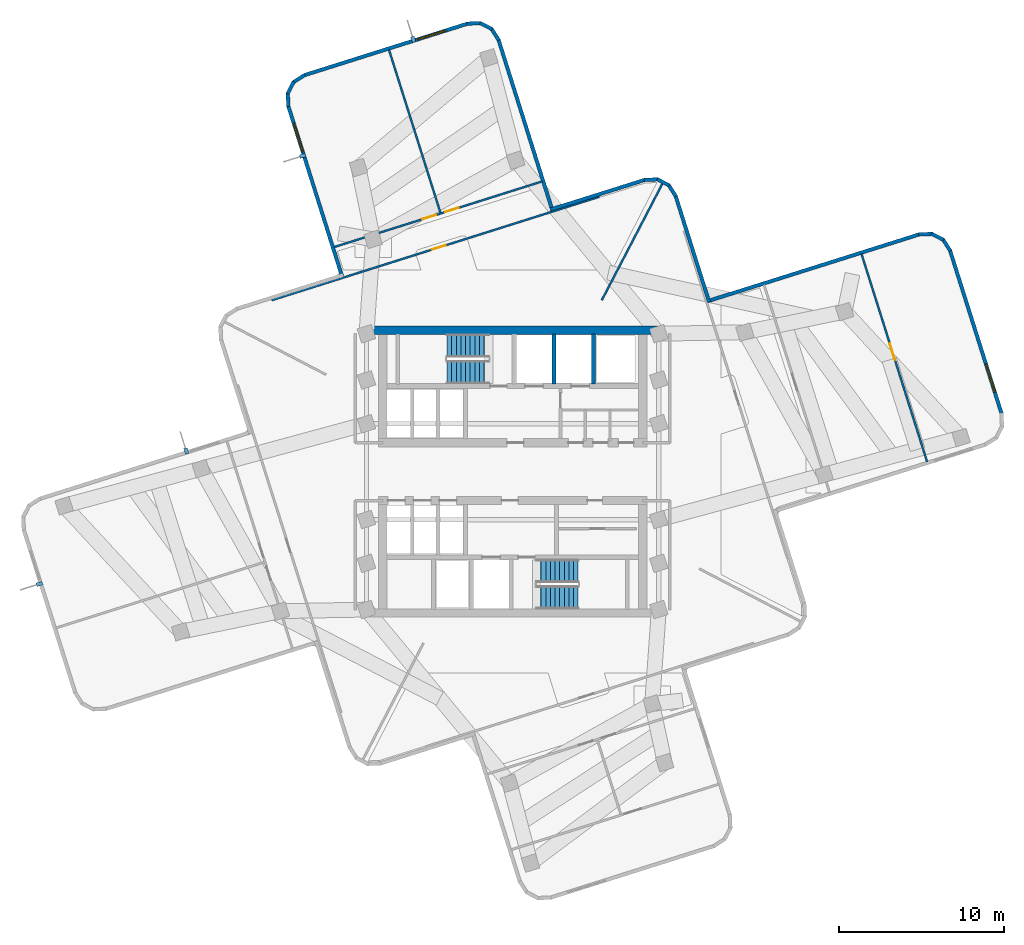
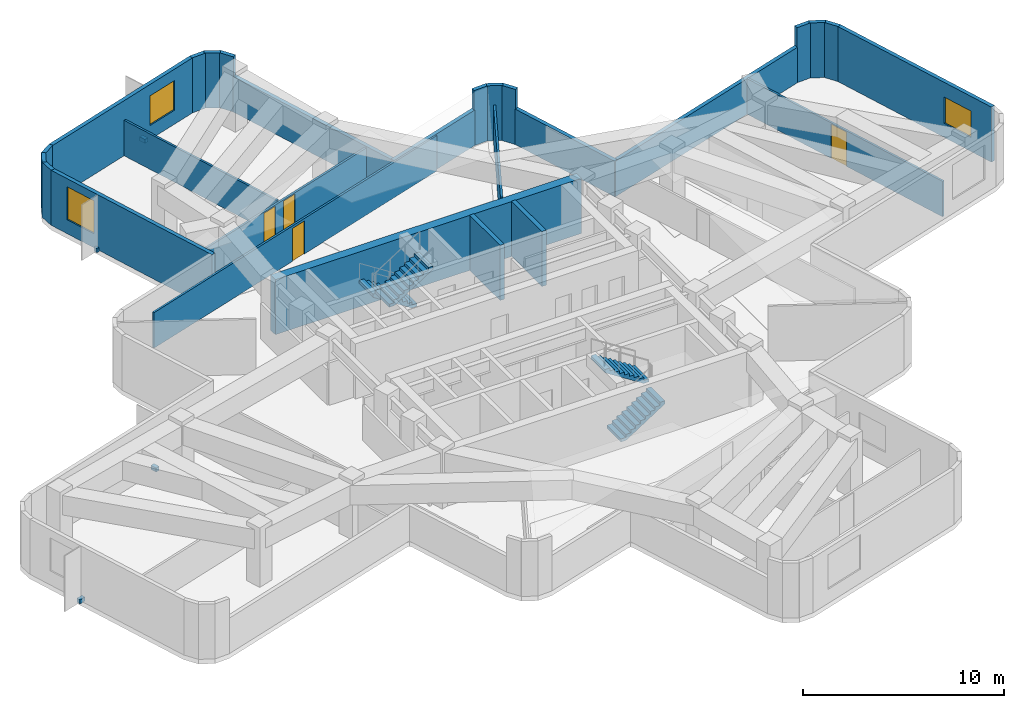
# One storey, part 5 of 8: 27 walls, 4 discrete accessories, 4 doors, 4 stair flights, 3 windows, 7 openings, 2 elements without a shape of their own.
"""IFC4 building model written with IfcOpenShell, lengths in metres."""

from ifc_helpers import new_model, si_unit, direction, frame, frame_2d, origin, origin_2d, place, context, subcontext, project, spatial, polyline, rectangle, outline, extrude, material, layer, layer_set, type_object, element, fill, aggregate, save


model = new_model("IFC4")

# Units and contexts
model_context = context("Model", 3, precision=1e-05, world=origin(), true_north=direction((0.0, 1.0)))
body_context = subcontext(model_context, "Body", "Model", "MODEL_VIEW")
ifc_project = project(units=[si_unit("LENGTHUNIT", "METRE"), si_unit("AREAUNIT", "SQUARE_METRE"), si_unit("VOLUMEUNIT", "CUBIC_METRE"), si_unit("PLANEANGLEUNIT", "RADIAN"), si_unit("MASSUNIT", "GRAM", prefix="KILO")], contexts=[model_context])

# Site, building, storey
site_placement = place(None, origin())
site = spatial("IfcSite", under=ifc_project, at=site_placement, CompositionType="ELEMENT")
building_placement = place(site_placement, origin())
building = spatial("IfcBuilding", under=site, at=building_placement, Name="Solmarez Civic Tower", CompositionType="ELEMENT")
storey_placement = place(building_placement, frame((0.0, 0.0, 152.280029296875)))
storey = spatial("IfcBuildingStorey", under=building, at=storey_placement, Name="L40", CompositionType="ELEMENT", Elevation=152.280029296875)

# Wall
ifc_material_1 = material(Name="Concrete C60/75", Category="concrete")
ifc_layer_1 = layer(ifc_material_1, 0.5)
ifc_layer_set_1 = layer_set([ifc_layer_1], Name="Concrete C60/75")
wall_type_1 = type_object("IfcWallType", Name="WALL-CORE-500", PredefinedType="SHEAR", material=ifc_layer_set_1)
wall_1_placement = place(storey_placement, frame((-8.780029296875, 8.56005859375, 0.0), z_axis=(0.0, 0.0, 1.0), x_axis=(1.0, 0.0, 0.0)))
element("IfcWall", 1, at=wall_1_placement, inside=storey, type_object=wall_type_1, Name="L40 Split-Core Structural Wall NCW-N-L40", PredefinedType="SHEAR", context=body_context, shape_type="SweptSolid", body=[
    extrude(rectangle(XDim=17.56005859375, YDim=0.5, at=frame_2d((8.780029296875, 0.0))), origin(), (0.0, 0.0, 1.0), 3.340087890625),
])

# Wall, opening, window
ifc_material_2 = material(Name="Precast concrete C40/50", Category="concrete")
ifc_layer_2 = layer(ifc_material_2, 0.219970703125)
ifc_layer_set_2 = layer_set([ifc_layer_2], Name="Precast concrete C40/50")
wall_type_2 = type_object("IfcWallType", Name="WALL-EXT-220", PredefinedType="SOLIDWALL", material=ifc_layer_set_2)
wall_2_placement = place(storey_placement, frame((-10.319091796875, 11.7919921875, 0.0), z_axis=(0.0, 0.0, 1.0), x_axis=(-0.301005479956, 0.953622410096, 0.0)))
wall_2 = element("IfcWall", 2, at=wall_2_placement, inside=storey, type_object=wall_type_2, Name="L40 Exterior Precast Wall 20", PredefinedType="SOLIDWALL", context=body_context, shape_type="SweptSolid", body=[
    extrude(rectangle(XDim=10.859619140625, YDim=0.219970703125, at=frame_2d((5.4296875, 0.0))), origin(), (0.0, 0.0, 1.0), 3.340087890625),
])
opening_1_placement = place(wall_2_placement, frame((7.9599609375, 0.0, 0.85009765625)))
opening_1 = element("IfcOpeningElement", 3, at=opening_1_placement, cuts=wall_2, Name="Opening W-04", PredefinedType="OPENING", context=body_context, shape_type="SweptSolid", body=[
    extrude(rectangle(XDim=1.800048828125, YDim=2.0, at=frame_2d((0.89990234375, 1.0))), frame((0.0, 0.119873046875, 0.0), z_axis=(0.0, -1.0, 0.0), x_axis=(1.0, 0.0, 0.0)), (0.0, 0.0, 1.0), 0.239990234375),
])
ifc_material_3 = material(Name="Solar Control Bronze-Tinted Insulating Glass", Category="glass")
window_type_1 = type_object("IfcWindowType", Name="WIN-1800X2000", PartitioningType="SINGLE_PANEL", PredefinedType="WINDOW", material=ifc_material_3)
window_1_placement = place(opening_1_placement, origin())
window_1 = element("IfcWindow", 4, at=window_1_placement, inside=storey, type_object=window_type_1, Name="L40 Exterior Facade Window 20", OverallHeight=2.0, OverallWidth=1.800048828125, PartitioningType="SINGLE_PANEL", PredefinedType="WINDOW", context=body_context, shape_type="SweptSolid", body=[
    extrude(rectangle(XDim=1.800048828125, YDim=2.0, at=frame_2d((0.89990234375, 1.0))), frame((0.0, 0.030029296875, 0.0), z_axis=(0.0, -1.0, 0.0), x_axis=(1.0, 0.0, 0.0)), (0.0, 0.0, 1.0), 0.06005859375),
])
fill(opening_1, window_1)

# Walls
wall_3_placement = place(storey_placement, frame((-13.5791015625, 22.09912109375, 0.0), z_axis=(0.0, 0.0, 1.0), x_axis=(-0.044225229981, 0.999021585869, 0.0)))
element("IfcWall", 5, at=wall_3_placement, inside=storey, type_object=wall_type_2, Name="L40 Exterior Precast Wall 21", PredefinedType="SOLIDWALL", context=body_context, shape_type="SweptSolid", body=[
    extrude(rectangle(XDim=0.83349609375, YDim=0.219970703125, at=frame_2d((0.416748046875, 0.0))), origin(), (0.0, 0.0, 1.0), 3.340087890625),
])
wall_4_placement = place(storey_placement, frame((-13.626953125, 22.885009765625, 0.0), z_axis=(0.0, 0.0, 1.0), x_axis=(0.462158884885, 0.886797138652, 0.0)))
element("IfcWall", 6, at=wall_4_placement, inside=storey, type_object=wall_type_2, Name="L40 Exterior Precast Wall 22", PredefinedType="SOLIDWALL", context=body_context, shape_type="SweptSolid", body=[
    extrude(rectangle(XDim=0.81982421875, YDim=0.219970703125, at=frame_2d((0.409912109375, 0.0))), origin(), (0.0, 0.0, 1.0), 3.340087890625),
])
wall_5_placement = place(storey_placement, frame((-13.281005859375, 23.576904296875, 0.0), z_axis=(0.0, 0.0, 1.0), x_axis=(0.844227532803, 0.535984955812, 0.0)))
element("IfcWall", 7, at=wall_5_placement, inside=storey, type_object=wall_type_2, Name="L40 Exterior Precast Wall 23", PredefinedType="SOLIDWALL", context=body_context, shape_type="SweptSolid", body=[
    extrude(rectangle(XDim=0.833984375, YDim=0.219970703125, at=frame_2d((0.4169921875, 0.0))), origin(), (0.0, 0.0, 1.0), 3.340087890625),
])

# Wall, opening, window
wall_6_placement = place(storey_placement, frame((-12.6220703125, 24.0029296875, 0.0), z_axis=(0.0, 0.0, 1.0), x_axis=(0.953584440501, 0.301125745883, 0.0)))
wall_6 = element("IfcWall", 8, at=wall_6_placement, inside=storey, type_object=wall_type_2, Name="L40 Exterior Precast Wall 24", PredefinedType="SOLIDWALL", context=body_context, shape_type="SweptSolid", body=[
    extrude(rectangle(XDim=10.3916015625, YDim=0.219970703125, at=frame_2d((5.19580078125, 0.0))), origin(), (0.0, 0.0, 1.0), 3.340087890625),
])
opening_2_placement = place(wall_6_placement, frame((7.205078125, 0.0, 0.85009765625)))
opening_2 = element("IfcOpeningElement", 9, at=opening_2_placement, cuts=wall_6, Name="Opening W-08", PredefinedType="OPENING", context=body_context, shape_type="SweptSolid", body=[
    extrude(rectangle(XDim=1.800048828125, YDim=1.800048828125, at=frame_2d((0.89990234375, 0.89990234375))), frame((0.0, 0.119873046875, 0.0), z_axis=(0.0, -1.0, 0.0), x_axis=(1.0, 0.0, 0.0)), (0.0, 0.0, 1.0), 0.239990234375),
])
window_type_2 = type_object("IfcWindowType", Name="WIN-1800X1800", PartitioningType="SINGLE_PANEL", PredefinedType="WINDOW", material=ifc_material_3)
window_2_placement = place(opening_2_placement, origin())
window_2 = element("IfcWindow", 10, at=window_2_placement, inside=storey, type_object=window_type_2, Name="L40 Exterior Facade Window 24", OverallHeight=1.800048828125, OverallWidth=1.800048828125, PartitioningType="SINGLE_PANEL", PredefinedType="WINDOW", context=body_context, shape_type="SweptSolid", body=[
    extrude(rectangle(XDim=1.800048828125, YDim=1.800048828125, at=frame_2d((0.89990234375, 0.89990234375))), frame((0.0, 0.030029296875, 0.0), z_axis=(0.0, -1.0, 0.0), x_axis=(1.0, 0.0, 0.0)), (0.0, 0.0, 1.0), 0.06005859375),
])
fill(opening_2, window_2)

# Walls
wall_7_placement = place(storey_placement, frame((-2.761962890625, 27.123046875, 0.0), z_axis=(0.0, 0.0, 1.0), x_axis=(0.999024443796, 0.044160623833, 0.0)))
element("IfcWall", 11, at=wall_7_placement, inside=storey, type_object=wall_type_2, Name="L40 Exterior Precast Wall 25", PredefinedType="SOLIDWALL", context=body_context, shape_type="SweptSolid", body=[
    extrude(rectangle(XDim=0.834716796875, YDim=0.219970703125, at=frame_2d((0.41748046875, 0.0))), origin(), (0.0, 0.0, 1.0), 3.340087890625),
])
wall_8_placement = place(storey_placement, frame((-1.97509765625, 27.1708984375, 0.0), z_axis=(0.0, 0.0, 1.0), x_axis=(0.886542320322, -0.462647505427, 0.0)))
element("IfcWall", 12, at=wall_8_placement, inside=storey, type_object=wall_type_2, Name="L40 Exterior Precast Wall 26", PredefinedType="SOLIDWALL", context=body_context, shape_type="SweptSolid", body=[
    extrude(rectangle(XDim=0.819091796875, YDim=0.219970703125, at=frame_2d((0.40966796875, 0.0))), origin(), (0.0, 0.0, 1.0), 3.340087890625),
])
wall_9_placement = place(storey_placement, frame((-1.283935546875, 26.824951171875, 0.0), z_axis=(0.0, 0.0, 1.0), x_axis=(0.537481840432, -0.843275323489, 0.0)))
element("IfcWall", 13, at=wall_9_placement, inside=storey, type_object=wall_type_2, Name="L40 Exterior Precast Wall 27", PredefinedType="SOLIDWALL", context=body_context, shape_type="SweptSolid", body=[
    extrude(rectangle(XDim=0.83349609375, YDim=0.219970703125, at=frame_2d((0.416748046875, 0.0))), origin(), (0.0, 0.0, 1.0), 3.340087890625),
])
wall_10_placement = place(storey_placement, frame((-0.85693359375, 26.1669921875, 0.0), z_axis=(0.0, 0.0, 1.0), x_axis=(0.300949507539, -0.953640075664, 0.0)))
element("IfcWall", 14, at=wall_10_placement, inside=storey, type_object=wall_type_2, Name="L40 Exterior Precast Wall 28", PredefinedType="SOLIDWALL", context=body_context, shape_type="SweptSolid", body=[
    extrude(rectangle(XDim=10.8583984375, YDim=0.219970703125, at=frame_2d((5.42919921875, 0.0))), origin(), (0.0, 0.0, 1.0), 2.15185546875),
])
wall_11_placement = place(storey_placement, frame((2.301025390625, 15.8701171875, 0.0), z_axis=(0.0, 0.0, 1.0), x_axis=(0.953652264112, 0.300910882413, 0.0)))
element("IfcWall", 15, at=wall_11_placement, inside=storey, type_object=wall_type_2, Name="L40 Exterior Precast Wall 31", PredefinedType="SOLIDWALL", context=body_context, shape_type="SweptSolid", body=[
    extrude(rectangle(XDim=5.988525390625, YDim=0.219970703125, at=frame_2d((2.994140625, 0.0))), origin(), (0.0, 0.0, 1.0), 2.15185546875),
])
wall_12_placement = place(storey_placement, frame((7.962890625, 17.6630859375, 0.0), z_axis=(0.0, 0.0, 1.0), x_axis=(0.99902501388, 0.044147725226, 0.0)))
element("IfcWall", 16, at=wall_12_placement, inside=storey, type_object=wall_type_2, Name="L40 Exterior Precast Wall 32", PredefinedType="SOLIDWALL", context=body_context, shape_type="SweptSolid", body=[
    extrude(rectangle(XDim=0.8349609375, YDim=0.219970703125, at=frame_2d((0.41748046875, 0.0))), origin(), (0.0, 0.0, 1.0), 3.340087890625),
])
wall_13_placement = place(storey_placement, frame((8.75, 17.7109375, 0.0), z_axis=(0.0, 0.0, 1.0), x_axis=(0.886542320322, -0.462647505427, 0.0)))
element("IfcWall", 17, at=wall_13_placement, inside=storey, type_object=wall_type_2, Name="L40 Exterior Precast Wall 33", PredefinedType="SOLIDWALL", context=body_context, shape_type="SweptSolid", body=[
    extrude(rectangle(XDim=0.819091796875, YDim=0.219970703125, at=frame_2d((0.40966796875, 0.0))), origin(), (0.0, 0.0, 1.0), 3.340087890625),
])
wall_14_placement = place(storey_placement, frame((9.44091796875, 17.364990234375, 0.0), z_axis=(0.0, 0.0, 1.0), x_axis=(0.536818702975, -0.84369762364, 0.0)))
element("IfcWall", 18, at=wall_14_placement, inside=storey, type_object=wall_type_2, Name="L40 Exterior Precast Wall 34", PredefinedType="SOLIDWALL", context=body_context, shape_type="SweptSolid", body=[
    extrude(rectangle(XDim=0.83447265625, YDim=0.219970703125, at=frame_2d((0.417236328125, 0.0))), origin(), (0.0, 0.0, 1.0), 3.340087890625),
])
wall_15_placement = place(storey_placement, frame((9.867919921875, 16.7060546875, 0.0), z_axis=(0.0, 0.0, 1.0), x_axis=(0.300982683852, -0.953629605256, 0.0)))
element("IfcWall", 19, at=wall_15_placement, inside=storey, type_object=wall_type_2, Name="L40 Exterior Precast Wall 35", PredefinedType="SOLIDWALL", context=body_context, shape_type="SweptSolid", body=[
    extrude(rectangle(XDim=6.758544921875, YDim=0.219970703125, at=frame_2d((3.37939453125, 0.0))), origin(), (0.0, 0.0, 1.0), 2.15185546875),
])
wall_16_placement = place(storey_placement, frame((11.7919921875, 10.319091796875, 0.0), z_axis=(0.0, 0.0, 1.0), x_axis=(0.953607060649, 0.301054104573, 0.0)))
element("IfcWall", 20, at=wall_16_placement, inside=storey, type_object=wall_type_2, Name="L40 Exterior Precast Wall 38", PredefinedType="SOLIDWALL", context=body_context, shape_type="SweptSolid", body=[
    extrude(rectangle(XDim=13.45947265625, YDim=0.219970703125, at=frame_2d((6.729736328125, 0.0))), origin(), (0.0, 0.0, 1.0), 2.15185546875),
])
wall_17_placement = place(storey_placement, frame((24.577880859375, 14.362060546875, 0.0), z_axis=(0.0, 0.0, 1.0), x_axis=(0.999075913973, 0.042980438793, 0.0)))
element("IfcWall", 21, at=wall_17_placement, inside=storey, type_object=wall_type_2, Name="L40 Exterior Precast Wall 39", PredefinedType="SOLIDWALL", context=body_context, shape_type="SweptSolid", body=[
    extrude(rectangle(XDim=0.8349609375, YDim=0.219970703125, at=frame_2d((0.41748046875, 0.0))), origin(), (0.0, 0.0, 1.0), 3.340087890625),
])
wall_18_placement = place(storey_placement, frame((25.364990234375, 14.408935546875, 0.0), z_axis=(0.0, 0.0, 1.0), x_axis=(0.886542320322, -0.462647505427, 0.0)))
element("IfcWall", 22, at=wall_18_placement, inside=storey, type_object=wall_type_2, Name="L40 Exterior Precast Wall 40", PredefinedType="SOLIDWALL", context=body_context, shape_type="SweptSolid", body=[
    extrude(rectangle(XDim=0.819091796875, YDim=0.219970703125, at=frame_2d((0.40966796875, 0.0))), origin(), (0.0, 0.0, 1.0), 3.340087890625),
])
wall_19_placement = place(storey_placement, frame((26.055908203125, 14.06298828125, 0.0), z_axis=(0.0, 0.0, 1.0), x_axis=(0.537481840432, -0.843275323489, 0.0)))
element("IfcWall", 23, at=wall_19_placement, inside=storey, type_object=wall_type_2, Name="L40 Exterior Precast Wall 41", PredefinedType="SOLIDWALL", context=body_context, shape_type="SweptSolid", body=[
    extrude(rectangle(XDim=0.83349609375, YDim=0.219970703125, at=frame_2d((0.416748046875, 0.0))), origin(), (0.0, 0.0, 1.0), 3.340087890625),
])

# Wall, opening, window
wall_20_placement = place(storey_placement, frame((26.48291015625, 13.405029296875, 0.0), z_axis=(0.0, 0.0, 1.0), x_axis=(0.301132492372, -0.953582310049, 0.0)))
wall_20 = element("IfcWall", 24, at=wall_20_placement, inside=storey, type_object=wall_type_2, Name="L40 Exterior Precast Wall 42", PredefinedType="SOLIDWALL", context=body_context, shape_type="SweptSolid", body=[
    extrude(rectangle(XDim=10.391357421875, YDim=0.219970703125, at=frame_2d((5.19580078125, 0.0))), origin(), (0.0, 0.0, 1.0), 3.340087890625),
])
opening_3_placement = place(wall_20_placement, frame((7.205078125, 0.0, 0.85009765625)))
opening_3 = element("IfcOpeningElement", 25, at=opening_3_placement, cuts=wall_20, Name="Opening W-12", PredefinedType="OPENING", context=body_context, shape_type="SweptSolid", body=[
    extrude(rectangle(XDim=1.800048828125, YDim=1.60009765625, at=frame_2d((0.89990234375, 0.800048828125))), frame((0.0, 0.119873046875, 0.0), z_axis=(0.0, -1.0, 0.0), x_axis=(1.0, 0.0, 0.0)), (0.0, 0.0, 1.0), 0.239990234375),
])
window_type_3 = type_object("IfcWindowType", Name="WIN-1800X1600", PartitioningType="SINGLE_PANEL", PredefinedType="WINDOW", material=ifc_material_3)
window_3_placement = place(opening_3_placement, origin())
window_3 = element("IfcWindow", 26, at=window_3_placement, inside=storey, type_object=window_type_3, Name="L40 Exterior Facade Window 42", OverallHeight=1.60009765625, OverallWidth=1.800048828125, PartitioningType="SINGLE_PANEL", PredefinedType="WINDOW", context=body_context, shape_type="SweptSolid", body=[
    extrude(rectangle(XDim=1.800048828125, YDim=1.60009765625, at=frame_2d((0.89990234375, 0.800048828125))), frame((0.0, 0.030029296875, 0.0), z_axis=(0.0, -1.0, 0.0), x_axis=(1.0, 0.0, 0.0)), (0.0, 0.0, 1.0), 0.06005859375),
])
fill(opening_3, window_3)

# Wall
ifc_material_4 = material(Name="Gypsum Board Acoustic Steel-Stud Partition", Category="steel")
ifc_layer_3 = layer(ifc_material_4, 0.1201171875)
ifc_layer_set_3 = layer_set([ifc_layer_3], Name="Gypsum Board Acoustic Steel-Stud Partition")
wall_type_3 = type_object("IfcWallType", Name="WALL-INT-PART-120", PredefinedType="PARTITIONING", material=ifc_layer_set_3)
wall_21_placement = place(storey_placement, frame((5.39794921875, 10.3798828125, 0.0), z_axis=(0.0, 0.0, 1.0), x_axis=(0.461434665806, 0.887174193263, 0.0)))
element("IfcWall", 27, at=wall_21_placement, inside=storey, type_object=wall_type_3, Name="L40 Interior Partition PT-L40-QDIV-1", PredefinedType="PARTITIONING", context=body_context, shape_type="SweptSolid", body=[
    extrude(rectangle(XDim=7.97509765625, YDim=0.1201171875, at=frame_2d((3.987548828125, 0.0))), origin(), (0.0, 0.0, 1.0), 2.15185546875),
])

# Wall, opening, door
wall_22_placement = place(storey_placement, frame((21.1201171875, 13.18505859375, 0.0), z_axis=(0.0, 0.0, 1.0), x_axis=(0.301040196878, -0.953611451202, 0.0)))
wall_22 = element("IfcWall", 28, at=wall_22_placement, inside=storey, type_object=wall_type_3, Name="L40 Interior Partition PT-L40-E-SC2", PredefinedType="PARTITIONING", context=body_context, shape_type="SweptSolid", body=[
    extrude(rectangle(XDim=13.200439453125, YDim=0.1201171875, at=frame_2d((6.60009765625, 0.0))), origin(), (0.0, 0.0, 1.0), 2.15185546875),
])
opening_4_placement = place(wall_22_placement, frame((5.68994140625, 0.0, 0.0)))
opening_4 = element("IfcOpeningElement", 29, at=opening_4_placement, cuts=wall_22, Name="Opening D-13", PredefinedType="OPENING", context=body_context, shape_type="SweptSolid", body=[
    extrude(rectangle(XDim=1.050048828125, YDim=2.080078125, at=frame_2d((0.52490234375, 1.0400390625))), frame((0.0, 0.070068359375, 0.0), z_axis=(0.0, -1.0, 0.0), x_axis=(1.0, 0.0, 0.0)), (0.0, 0.0, 1.0), 0.14013671875),
])
ifc_material_5 = material(Name="Timber Directorate Office Door", Category="wood")
door_type_1 = type_object("IfcDoorType", Name="DOOR-INT-1050", OperationType="NOTDEFINED", PredefinedType="DOOR", material=ifc_material_5)
door_1_placement = place(opening_4_placement, origin())
door_1 = element("IfcDoor", 30, at=door_1_placement, inside=storey, type_object=door_type_1, Name="L40 Civic Multi-Purpose Room East Door", OperationType="SINGLE_SWING_RIGHT", OverallHeight=2.080078125, OverallWidth=1.050048828125, PredefinedType="DOOR", context=body_context, shape_type="SweptSolid", body=[
    extrude(rectangle(XDim=1.050048828125, YDim=2.080078125, at=frame_2d((0.52490234375, 1.0400390625))), frame((0.0, 0.02490234375, 0.0), z_axis=(0.0, -1.0, 0.0), x_axis=(1.0, 0.0, 0.0)), (0.0, 0.0, 1.0), 0.050048828125),
])
fill(opening_4, door_1)

wall_23_placement = place(storey_placement, frame((-14.591064453125, 10.37890625, 0.0), z_axis=(0.0, 0.0, 1.0), x_axis=(0.95360181293, 0.301070726534, 0.0)))
wall_23 = element("IfcWall", 31, at=wall_23_placement, inside=storey, type_object=wall_type_3, Name="L40 Interior Partition PT-L40-N-ENT", PredefinedType="PARTITIONING", context=body_context, shape_type="SweptSolid", body=[
    extrude(rectangle(XDim=20.8095703125, YDim=0.1201171875, at=frame_2d((10.40478515625, 0.0))), origin(), (0.0, 0.0, 1.0), 2.15185546875),
])
opening_5_placement = place(wall_23_placement, frame((10.18896484375, 0.0, 0.0)))
opening_5 = element("IfcOpeningElement", 32, at=opening_5_placement, cuts=wall_23, Name="Opening D-19", PredefinedType="OPENING", context=body_context, shape_type="SweptSolid", body=[
    extrude(rectangle(XDim=0.860107421875, YDim=2.0, at=frame_2d((0.43017578125, 1.0))), frame((0.0, 0.070068359375, 0.0), z_axis=(0.0, -1.0, 0.0), x_axis=(1.0, 0.0, 0.0)), (0.0, 0.0, 1.0), 0.14013671875),
])
ifc_material_6 = material(Name="Timber Low-Headroom Storage and Pantry Door", Category="wood")
door_type_2 = type_object("IfcDoorType", Name="DOOR-INT-850-2000", OperationType="NOTDEFINED", PredefinedType="DOOR", material=ifc_material_6)
door_2_placement = place(opening_5_placement, origin())
door_2 = element("IfcDoor", 33, at=door_2_placement, inside=storey, type_object=door_type_2, Name="L40 Catering Servery First North Door", OperationType="SINGLE_SWING_LEFT", OverallHeight=2.0, OverallWidth=0.860107421875, PredefinedType="DOOR", context=body_context, shape_type="SweptSolid", body=[
    extrude(rectangle(XDim=0.860107421875, YDim=2.0, at=frame_2d((0.43017578125, 1.0))), frame((0.0, 0.02490234375, 0.0), z_axis=(0.0, -1.0, 0.0), x_axis=(1.0, 0.0, 0.0)), (0.0, 0.0, 1.0), 0.050048828125),
])
fill(opening_5, door_2)

# Wall
wall_24_placement = place(storey_placement, frame((-4.3759765625, 15.68994140625, 0.0), z_axis=(0.0, 0.0, 1.0), x_axis=(-0.301100844528, 0.953592303568, 0.0)))
element("IfcWall", 34, at=wall_24_placement, inside=storey, type_object=wall_type_3, Name="L40 Interior Partition PT-L40-N-TSP", PredefinedType="PARTITIONING", context=body_context, shape_type="SweptSolid", body=[
    extrude(rectangle(XDim=10.335693359375, YDim=0.1201171875, at=frame_2d((5.16796875, 0.0))), origin(), (0.0, 0.0, 1.0), 2.15185546875),
])

# Wall, openings, doors
wall_25_placement = place(storey_placement, frame((1.778076171875, 17.570068359375, 0.0), z_axis=(0.0, 0.0, 1.0), x_axis=(-0.953627378356, -0.300989739442, 0.0)))
wall_25 = element("IfcWall", 35, at=wall_25_placement, inside=storey, type_object=wall_type_3, Name="L40 Interior Partition PT-L40-N-SCUT", PredefinedType="PARTITIONING", context=body_context, shape_type="SweptSolid", body=[
    extrude(rectangle(XDim=13.2001953125, YDim=0.1201171875, at=frame_2d((6.60009765625, 0.0))), origin(), (0.0, 0.0, 1.0), 2.072021484375),
])
opening_6_placement = place(wall_25_placement, frame((5.284912109375, 0.0, 0.0)))
opening_6 = element("IfcOpeningElement", 36, at=opening_6_placement, cuts=wall_25, Name="Opening D-19", PredefinedType="OPENING", context=body_context, shape_type="SweptSolid", body=[
    extrude(rectangle(XDim=0.860107421875, YDim=2.0, at=frame_2d((0.43017578125, 1.0))), frame((0.0, 0.070068359375, 0.0), z_axis=(0.0, -1.0, 0.0), x_axis=(1.0, 0.0, 0.0)), (0.0, 0.0, 1.0), 0.14013671875),
])
opening_7_placement = place(wall_25_placement, frame((6.72509765625, 0.0, 0.0)))
opening_7 = element("IfcOpeningElement", 37, at=opening_7_placement, cuts=wall_25, Name="Opening D-19", PredefinedType="OPENING", context=body_context, shape_type="SweptSolid", body=[
    extrude(rectangle(XDim=0.860107421875, YDim=2.0, at=frame_2d((0.43017578125, 1.0))), frame((0.0, 0.070068359375, 0.0), z_axis=(0.0, -1.0, 0.0), x_axis=(1.0, 0.0, 0.0)), (0.0, 0.0, 1.0), 0.14013671875),
])
door_3_placement = place(opening_6_placement, origin())
door_3 = element("IfcDoor", 38, at=door_3_placement, inside=storey, type_object=door_type_2, Name="L40 Civic Multi-Purpose Room Third North Door", OperationType="SINGLE_SWING_RIGHT", OverallHeight=2.0, OverallWidth=0.860107421875, PredefinedType="DOOR", context=body_context, shape_type="SweptSolid", body=[
    extrude(rectangle(XDim=0.860107421875, YDim=2.0, at=frame_2d((0.43017578125, 1.0))), frame((0.0, 0.02490234375, 0.0), z_axis=(0.0, -1.0, 0.0), x_axis=(1.0, 0.0, 0.0)), (0.0, 0.0, 1.0), 0.050048828125),
])
fill(opening_6, door_3)
door_4_placement = place(opening_7_placement, origin())
door_4 = element("IfcDoor", 39, at=door_4_placement, inside=storey, type_object=door_type_2, Name="L40 Delegates Sitting Lounge Second North Door", OperationType="SINGLE_SWING_LEFT", OverallHeight=2.0, OverallWidth=0.860107421875, PredefinedType="DOOR", context=body_context, shape_type="SweptSolid", body=[
    extrude(rectangle(XDim=0.860107421875, YDim=2.0, at=frame_2d((0.43017578125, 1.0))), frame((0.0, 0.02490234375, 0.0), z_axis=(0.0, -1.0, 0.0), x_axis=(1.0, 0.0, 0.0)), (0.0, 0.0, 1.0), 0.050048828125),
])
fill(opening_7, door_4)

# Walls
ifc_material_7 = material(Name="Concrete C50/60", Category="concrete")
ifc_layer_4 = layer(ifc_material_7, 0.300048828125)
ifc_layer_set_4 = layer_set([ifc_layer_4], Name="Concrete C50/60")
wall_type_4 = type_object("IfcWallType", Name="WALL-STR-300", PredefinedType="SOLIDWALL", material=ifc_layer_set_4)
for number, where, z_axis, x_axis, name in (
    (40, (2.5, 5.300048828125, 0.0), (0.0, 0.0, 1.0), (0.0, 1.0, 0.0), "L40 Split-Core Structural Wall SHW-N2-L40"),
    (41, (4.89990234375, 5.300048828125, 0.0), (0.0, 0.0, 1.0), (0.0, 1.0, 0.0), "L40 Split-Core Structural Wall SHW-N3-L40"),
):
    element("IfcWall", number, at=place(storey_placement, frame(where, z_axis=z_axis, x_axis=x_axis)), inside=storey, type_object=wall_type_4, Name=name, PredefinedType="SOLIDWALL", context=body_context, shape_type="SweptSolid", body=[
        extrude(rectangle(XDim=3.0400390625, YDim=0.25, at=frame_2d((1.52001953125, 0.0))), origin(), (0.0, 0.0, 1.0), 3.340087890625),
    ])

# Stair, stair flights
stair_type = type_object("IfcStairType", Name="STAIR-DOGLEG-140W-20R-1800", PredefinedType="HALF_TURN_STAIR", material=ifc_material_7)
stair_1_placement = place(storey_placement, origin())
stair_1 = element("IfcStair", 42, at=stair_1_placement, inside=storey, type_object=stair_type, Name="L40 North Core Protected Exit Stair ST-1", PredefinedType="HALF_TURN_STAIR")
stair_flight_type = type_object("IfcStairFlightType", Name="FLIGHT-DOGLEG-140W-10R-1800", PredefinedType="STRAIGHT", material=ifc_material_7)
stair_flight_1_placement = place(storey_placement, frame((-1.449951171875, 7.6201171875, 0.0), z_axis=(0.0, 0.0, 1.0), x_axis=(-1.0, 0.0, 0.0)))
stair_flight_1 = element("IfcStairFlight", 43, at=stair_flight_1_placement, type_object=stair_flight_type, Name="ST-1 flight 1", NumberOfRisers=10, NumberOfTreads=9, PredefinedType="STRAIGHT", RiserHeight=0.18, TreadLength=0.28, context=body_context, shape_type="SweptSolid", body=[
    extrude(outline(polyline([(0.0, 0.0), (0.0, 0.179931640625), (0.280029296875, 0.179931640625), (0.280029296875, 0.360107421875), (0.56005859375, 0.360107421875), (0.56005859375, 0.5400390625), (0.840087890625, 0.5400390625), (0.840087890625, 0.719970703125), (1.1201171875, 0.719970703125), (1.1201171875, 0.89990234375), (1.39990234375, 0.89990234375), (1.39990234375, 1.080078125), (1.679931640625, 1.080078125), (1.679931640625, 1.260009765625), (1.9599609375, 1.260009765625), (1.9599609375, 1.43994140625), (2.239990234375, 1.43994140625), (2.239990234375, 1.6201171875), (2.52001953125, 1.6201171875), (2.52001953125, 1.800048828125), (2.52001953125, 1.429931640625), (0.295654296875, 0.0), (0.0, 0.0)])), frame((0.0, 0.699951171875, 0.0), z_axis=(0.0, -1.0, 0.0), x_axis=(1.0, 0.0, 0.0)), (0.0, 0.0, 1.0), 1.39990234375),
])
stair_flight_2_placement = place(storey_placement, frame((-3.969970703125, 6.02001953125, 1.800048828125), z_axis=(0.0, 0.0, 1.0), x_axis=(1.0, 0.0, 0.0)))
stair_flight_2 = element("IfcStairFlight", 44, at=stair_flight_2_placement, type_object=stair_flight_type, Name="ST-1 flight 2", NumberOfRisers=10, NumberOfTreads=9, PredefinedType="STRAIGHT", RiserHeight=0.18, TreadLength=0.28, context=body_context, shape_type="SweptSolid", body=[
    extrude(outline(polyline([(0.0, 0.0), (0.0, 0.179931640625), (0.280029296875, 0.179931640625), (0.280029296875, 0.360107421875), (0.56005859375, 0.360107421875), (0.56005859375, 0.5400390625), (0.840087890625, 0.5400390625), (0.840087890625, 0.719970703125), (1.1201171875, 0.719970703125), (1.1201171875, 0.89990234375), (1.39990234375, 0.89990234375), (1.39990234375, 1.080078125), (1.679931640625, 1.080078125), (1.679931640625, 1.260009765625), (1.9599609375, 1.260009765625), (1.9599609375, 1.43994140625), (2.239990234375, 1.43994140625), (2.239990234375, 1.6201171875), (2.52001953125, 1.6201171875), (2.52001953125, 1.800048828125), (2.52001953125, 1.429931640625), (0.295654296875, 0.0), (0.0, 0.0)])), frame((0.0, 0.699951171875, 0.0), z_axis=(0.0, -1.0, 0.0), x_axis=(1.0, 0.0, 0.0)), (0.0, 0.0, 1.0), 1.39990234375),
])
aggregate(stair_1, [stair_flight_1, stair_flight_2])

stair_2_placement = place(storey_placement, origin())
stair_2 = element("IfcStair", 45, at=stair_2_placement, inside=storey, type_object=stair_type, Name="L40 South Core Protected Exit Stair ST-2", PredefinedType="HALF_TURN_STAIR")
stair_flight_3_placement = place(storey_placement, frame((1.449951171875, -7.6201171875, 0.0), z_axis=(0.0, 0.0, 1.0), x_axis=(1.0, 0.0, 0.0)))
stair_flight_3 = element("IfcStairFlight", 46, at=stair_flight_3_placement, type_object=stair_flight_type, Name="ST-2 flight 1", NumberOfRisers=10, NumberOfTreads=9, PredefinedType="STRAIGHT", RiserHeight=0.18, TreadLength=0.28, context=body_context, shape_type="SweptSolid", body=[
    extrude(outline(polyline([(0.0, 0.0), (0.0, 0.179931640625), (0.280029296875, 0.179931640625), (0.280029296875, 0.360107421875), (0.56005859375, 0.360107421875), (0.56005859375, 0.5400390625), (0.840087890625, 0.5400390625), (0.840087890625, 0.719970703125), (1.1201171875, 0.719970703125), (1.1201171875, 0.89990234375), (1.39990234375, 0.89990234375), (1.39990234375, 1.080078125), (1.679931640625, 1.080078125), (1.679931640625, 1.260009765625), (1.9599609375, 1.260009765625), (1.9599609375, 1.43994140625), (2.239990234375, 1.43994140625), (2.239990234375, 1.6201171875), (2.52001953125, 1.6201171875), (2.52001953125, 1.800048828125), (2.52001953125, 1.429931640625), (0.295654296875, 0.0), (0.0, 0.0)])), frame((0.0, 0.699951171875, 0.0), z_axis=(0.0, -1.0, 0.0), x_axis=(1.0, 0.0, 0.0)), (0.0, 0.0, 1.0), 1.39990234375),
])
stair_flight_4_placement = place(storey_placement, frame((3.969970703125, -6.02001953125, 1.800048828125), z_axis=(0.0, 0.0, 1.0), x_axis=(-1.0, 0.0, 0.0)))
stair_flight_4 = element("IfcStairFlight", 47, at=stair_flight_4_placement, type_object=stair_flight_type, Name="ST-2 flight 2", NumberOfRisers=10, NumberOfTreads=9, PredefinedType="STRAIGHT", RiserHeight=0.18, TreadLength=0.28, context=body_context, shape_type="SweptSolid", body=[
    extrude(outline(polyline([(0.0, 0.0), (0.0, 0.179931640625), (0.280029296875, 0.179931640625), (0.280029296875, 0.360107421875), (0.56005859375, 0.360107421875), (0.56005859375, 0.5400390625), (0.840087890625, 0.5400390625), (0.840087890625, 0.719970703125), (1.1201171875, 0.719970703125), (1.1201171875, 0.89990234375), (1.39990234375, 0.89990234375), (1.39990234375, 1.080078125), (1.679931640625, 1.080078125), (1.679931640625, 1.260009765625), (1.9599609375, 1.260009765625), (1.9599609375, 1.43994140625), (2.239990234375, 1.43994140625), (2.239990234375, 1.6201171875), (2.52001953125, 1.6201171875), (2.52001953125, 1.800048828125), (2.52001953125, 1.429931640625), (0.295654296875, 0.0), (0.0, 0.0)])), frame((0.0, 0.699951171875, 0.0), z_axis=(0.0, -1.0, 0.0), x_axis=(1.0, 0.0, 0.0)), (0.0, 0.0, 1.0), 1.39990234375),
])
aggregate(stair_2, [stair_flight_3, stair_flight_4])

# Discrete accessories
ifc_material_8 = material(Name="Stainless Steel Grade 1.4401", Category="steel")
discrete_accessory_type = type_object("IfcDiscreteAccessoryType", Name="BRACKET-SS-FIN", PredefinedType="BRACKET", material=ifc_material_8)
for number, where, z_axis, x_axis, name in (
    (48, (-28.653076171875, -6.797119140625, -0.06005859375), (0.0, 0.0, 1.0), (-0.953610430342, -0.30104343066, 0.0), "L40 Stainless Fin Support Bracket FIN-L40-01"),
    (49, (-19.757080078125, 1.25, -0.06005859375), (0.0, 0.0, 1.0), (-0.301013017746, 0.953620030802, 0.0), "L40 Stainless Fin Support Bracket FIN-L40-02"),
    (50, (-12.716064453125, 19.1201171875, -0.06005859375), (0.0, 0.0, 1.0), (-0.953615005777, -0.301028936743, 0.0), "L40 Stainless Fin Support Bracket FIN-L40-03"),
    (51, (-6.013916015625, 26.173095703125, -0.06005859375), (0.0, 0.0, 1.0), (-0.30104343066, 0.953610430342, 0.0), "L40 Stainless Fin Support Bracket FIN-L40-04"),
):
    element("IfcDiscreteAccessory", number, at=place(storey_placement, frame(where, z_axis=z_axis, x_axis=x_axis)), inside=storey, type_object=discrete_accessory_type, Name=name, PredefinedType="BRACKET", context=body_context, shape_type="SweptSolid", body=[
        extrude(rectangle(XDim=0.360107421875, YDim=0.219970703125, at=origin_2d()), origin(), (0.0, 0.0, 1.0), 0.239990234375),
    ])

save(model, "model.ifc")
